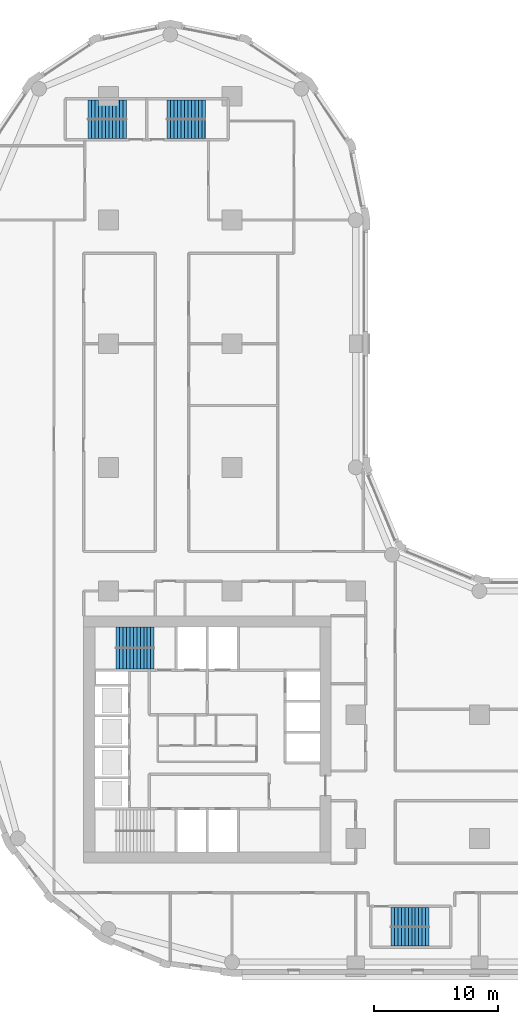
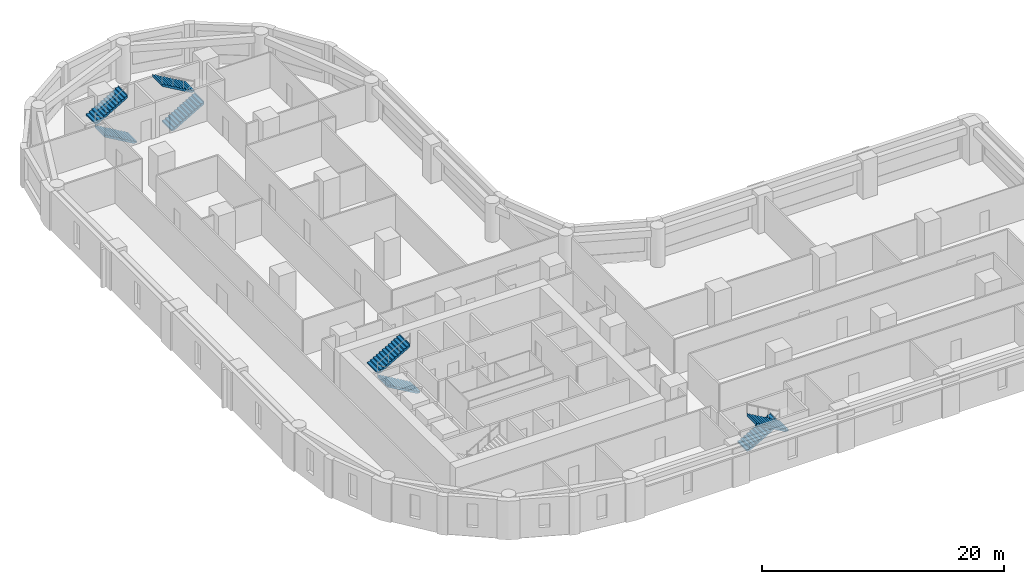
# One storey, part 8 of 10: 8 stair flights, 4 elements without a shape of their own.
"""IFC4 building model written with IfcOpenShell, lengths in metres."""

from ifc_helpers import new_model, si_unit, direction, frame, origin, place, context, subcontext, project, spatial, polyline, outline, extrude, material, type_object, element, aggregate, save


model = new_model("IFC4")

# Units and contexts
model_context = context("Model", 3, precision=1e-05, world=origin(), true_north=direction((0.0, 1.0)))
body_context = subcontext(model_context, "Body", "Model", "MODEL_VIEW")
ifc_project = project(units=[si_unit("LENGTHUNIT", "METRE"), si_unit("AREAUNIT", "SQUARE_METRE"), si_unit("VOLUMEUNIT", "CUBIC_METRE"), si_unit("PLANEANGLEUNIT", "RADIAN"), si_unit("MASSUNIT", "GRAM", prefix="KILO")], contexts=[model_context])

# Site, building, storey
site_placement = place(None, origin())
site = spatial("IfcSite", under=ifc_project, at=site_placement, CompositionType="ELEMENT")
building_placement = place(site_placement, origin())
building = spatial("IfcBuilding", under=site, at=building_placement, Name="Qaws Garden Tower", CompositionType="ELEMENT")
storey_placement = place(building_placement, frame((0.0, 0.0, 109.5)))
storey = spatial("IfcBuildingStorey", under=building, at=storey_placement, Name="L27", CompositionType="ELEMENT", Elevation=109.5)

# Stair, stair flights
ifc_material_1 = material(Name="Concrete C40", Category="concrete")
stair_type_1 = type_object("IfcStairType", Name="Exit stair 1350", PredefinedType="HALF_TURN_STAIR", material=ifc_material_1)
placement = place(storey_placement, origin())
stair_1 = element("IfcStair", 1, at=placement, inside=storey, type_object=stair_type_1, Name="Stair 5", PredefinedType="HALF_TURN_STAIR")
ifc_material_2 = material(Name="Concrete C40", Category="concrete")
stair_flight_type_1 = type_object("IfcStairFlightType", Name="Stair flight 1350", PredefinedType="STRAIGHT", material=ifc_material_2)
stair_flight_1_placement = place(storey_placement, frame((32.85009765625, 3.625, 0.0), z_axis=(0.0, 0.0, 1.0), x_axis=(1.0, 0.0, 0.0)))
stair_flight_1 = element("IfcStairFlight", 2, at=stair_flight_1_placement, type_object=stair_flight_type_1, Name="ST5 flight 1", NumberOfRisers=12, NumberOfTreads=11, PredefinedType="STRAIGHT", RiserHeight=0.1625, TreadLength=0.28, context=body_context, shape_type="SweptSolid", body=[
    extrude(outline(polyline([(-0.0029296875, 0.0), (-0.0029296875, 0.16259765625), (0.0, 0.16259765625), (0.280029296875, 0.16259765625), (0.280029296875, 0.324951171875), (0.56005859375, 0.324951171875), (0.56005859375, 0.487548828125), (0.840087890625, 0.487548828125), (0.840087890625, 0.64990234375), (1.1201171875, 0.64990234375), (1.1201171875, 0.8125), (1.39990234375, 0.8125), (1.39990234375, 0.97509765625), (1.679931640625, 0.97509765625), (1.679931640625, 1.137451171875), (1.9599609375, 1.137451171875), (1.9599609375, 1.300048828125), (2.239990234375, 1.300048828125), (2.239990234375, 1.46240234375), (2.52001953125, 1.46240234375), (2.52001953125, 1.625), (2.800048828125, 1.625), (2.800048828125, 1.78759765625), (3.080078125, 1.78759765625), (3.080078125, 1.949951171875), (3.0830078125, 1.949951171875), (3.0830078125, 1.6142578125), (3.080078125, 1.6142578125), (0.298583984375, 0.0), (-0.0029296875, 0.0)])), frame((0.0, 0.77490234375, 0.0), z_axis=(0.0, -1.0, 0.0), x_axis=(1.0, 0.0, 0.0)), (0.0, 0.0, 1.0), 1.550048828125),
])
stair_flight_2_placement = place(storey_placement, frame((35.929931640625, 2.074951171875, 1.949951171875), z_axis=(0.0, 0.0, 1.0), x_axis=(-1.0, 0.0, 0.0)))
stair_flight_2 = element("IfcStairFlight", 3, at=stair_flight_2_placement, type_object=stair_flight_type_1, Name="ST5 flight 2", NumberOfRisers=12, NumberOfTreads=11, PredefinedType="STRAIGHT", RiserHeight=0.1625, TreadLength=0.28, context=body_context, shape_type="SweptSolid", body=[
    extrude(outline(polyline([(-0.0029296875, 0.0), (-0.0029296875, 0.16259765625), (0.0, 0.16259765625), (0.280029296875, 0.16259765625), (0.280029296875, 0.324951171875), (0.56005859375, 0.324951171875), (0.56005859375, 0.487548828125), (0.840087890625, 0.487548828125), (0.840087890625, 0.64990234375), (1.1201171875, 0.64990234375), (1.1201171875, 0.8125), (1.39990234375, 0.8125), (1.39990234375, 0.97509765625), (1.679931640625, 0.97509765625), (1.679931640625, 1.137451171875), (1.9599609375, 1.137451171875), (1.9599609375, 1.300048828125), (2.239990234375, 1.300048828125), (2.239990234375, 1.46240234375), (2.52001953125, 1.46240234375), (2.52001953125, 1.625), (2.800048828125, 1.625), (2.800048828125, 1.78759765625), (3.080078125, 1.78759765625), (3.080078125, 1.949951171875), (3.0830078125, 1.949951171875), (3.0830078125, 1.6142578125), (3.080078125, 1.6142578125), (0.298583984375, 0.0), (-0.0029296875, 0.0)])), frame((0.0, 0.77490234375, 0.0), z_axis=(0.0, -1.0, 0.0), x_axis=(1.0, 0.0, 0.0)), (0.0, 0.0, 1.0), 1.550048828125),
])
aggregate(stair_1, [stair_flight_1, stair_flight_2])

stair_2 = element("IfcStair", 4, at=placement, inside=storey, type_object=stair_type_1, Name="Stair 6", PredefinedType="HALF_TURN_STAIR")
stair_flight_3_placement = place(storey_placement, frame((11.449951171875, 67.375, 0.0), z_axis=(0.0, 0.0, 1.0), x_axis=(-1.0, 0.0, 0.0)))
stair_flight_3 = element("IfcStairFlight", 5, at=stair_flight_3_placement, type_object=stair_flight_type_1, Name="ST6 flight 1", NumberOfRisers=12, NumberOfTreads=11, PredefinedType="STRAIGHT", RiserHeight=0.1625, TreadLength=0.28, context=body_context, shape_type="SweptSolid", body=[
    extrude(outline(polyline([(-0.0029296875, 0.0), (-0.0029296875, 0.16259765625), (0.0, 0.16259765625), (0.280029296875, 0.16259765625), (0.280029296875, 0.324951171875), (0.56005859375, 0.324951171875), (0.56005859375, 0.487548828125), (0.840087890625, 0.487548828125), (0.840087890625, 0.64990234375), (1.1201171875, 0.64990234375), (1.1201171875, 0.8125), (1.39990234375, 0.8125), (1.39990234375, 0.97509765625), (1.679931640625, 0.97509765625), (1.679931640625, 1.137451171875), (1.9599609375, 1.137451171875), (1.9599609375, 1.300048828125), (2.239990234375, 1.300048828125), (2.239990234375, 1.46240234375), (2.52001953125, 1.46240234375), (2.52001953125, 1.625), (2.800048828125, 1.625), (2.800048828125, 1.78759765625), (3.080078125, 1.78759765625), (3.080078125, 1.949951171875), (3.0830078125, 1.949951171875), (3.0830078125, 1.6142578125), (3.080078125, 1.6142578125), (0.298583984375, 0.0), (-0.0029296875, 0.0)])), frame((0.0, 0.77490234375, 0.0), z_axis=(0.0, -1.0, 0.0), x_axis=(1.0, 0.0, 0.0)), (0.0, 0.0, 1.0), 1.550048828125),
])
stair_flight_4_placement = place(storey_placement, frame((8.3701171875, 68.925048828125, 1.949951171875), z_axis=(0.0, 0.0, 1.0), x_axis=(1.0, 0.0, 0.0)))
stair_flight_4 = element("IfcStairFlight", 6, at=stair_flight_4_placement, type_object=stair_flight_type_1, Name="ST6 flight 2", NumberOfRisers=12, NumberOfTreads=11, PredefinedType="STRAIGHT", RiserHeight=0.1625, TreadLength=0.28, context=body_context, shape_type="SweptSolid", body=[
    extrude(outline(polyline([(-0.0029296875, 0.0), (-0.0029296875, 0.16259765625), (0.0, 0.16259765625), (0.280029296875, 0.16259765625), (0.280029296875, 0.324951171875), (0.56005859375, 0.324951171875), (0.56005859375, 0.487548828125), (0.840087890625, 0.487548828125), (0.840087890625, 0.64990234375), (1.1201171875, 0.64990234375), (1.1201171875, 0.8125), (1.39990234375, 0.8125), (1.39990234375, 0.97509765625), (1.679931640625, 0.97509765625), (1.679931640625, 1.137451171875), (1.9599609375, 1.137451171875), (1.9599609375, 1.300048828125), (2.239990234375, 1.300048828125), (2.239990234375, 1.46240234375), (2.52001953125, 1.46240234375), (2.52001953125, 1.625), (2.800048828125, 1.625), (2.800048828125, 1.78759765625), (3.080078125, 1.78759765625), (3.080078125, 1.949951171875), (3.0830078125, 1.949951171875), (3.0830078125, 1.6142578125), (3.080078125, 1.6142578125), (0.298583984375, 0.0), (-0.0029296875, 0.0)])), frame((0.0, 0.77490234375, 0.0), z_axis=(0.0, -1.0, 0.0), x_axis=(1.0, 0.0, 0.0)), (0.0, 0.0, 1.0), 1.550048828125),
])
aggregate(stair_2, [stair_flight_3, stair_flight_4])

stair_3 = element("IfcStair", 7, at=placement, inside=storey, type_object=stair_type_1, Name="Stair 7", PredefinedType="HALF_TURN_STAIR")
stair_flight_5_placement = place(storey_placement, frame((14.75, 67.375, 0.0), z_axis=(0.0, 0.0, 1.0), x_axis=(1.0, 0.0, 0.0)))
stair_flight_5 = element("IfcStairFlight", 8, at=stair_flight_5_placement, type_object=stair_flight_type_1, Name="ST7 flight 1", NumberOfRisers=12, NumberOfTreads=11, PredefinedType="STRAIGHT", RiserHeight=0.1625, TreadLength=0.28, context=body_context, shape_type="SweptSolid", body=[
    extrude(outline(polyline([(-0.0029296875, 0.0), (-0.0029296875, 0.16259765625), (0.0, 0.16259765625), (0.280029296875, 0.16259765625), (0.280029296875, 0.324951171875), (0.56005859375, 0.324951171875), (0.56005859375, 0.487548828125), (0.840087890625, 0.487548828125), (0.840087890625, 0.64990234375), (1.1201171875, 0.64990234375), (1.1201171875, 0.8125), (1.39990234375, 0.8125), (1.39990234375, 0.97509765625), (1.679931640625, 0.97509765625), (1.679931640625, 1.137451171875), (1.9599609375, 1.137451171875), (1.9599609375, 1.300048828125), (2.239990234375, 1.300048828125), (2.239990234375, 1.46240234375), (2.52001953125, 1.46240234375), (2.52001953125, 1.625), (2.800048828125, 1.625), (2.800048828125, 1.78759765625), (3.080078125, 1.78759765625), (3.080078125, 1.949951171875), (3.0830078125, 1.949951171875), (3.0830078125, 1.6142578125), (3.080078125, 1.6142578125), (0.298583984375, 0.0), (-0.0029296875, 0.0)])), frame((0.0, 0.77490234375, 0.0), z_axis=(0.0, -1.0, 0.0), x_axis=(1.0, 0.0, 0.0)), (0.0, 0.0, 1.0), 1.550048828125),
])
stair_flight_6_placement = place(storey_placement, frame((17.830078125, 68.925048828125, 1.949951171875), z_axis=(0.0, 0.0, 1.0), x_axis=(-1.0, 0.0, 0.0)))
stair_flight_6 = element("IfcStairFlight", 9, at=stair_flight_6_placement, type_object=stair_flight_type_1, Name="ST7 flight 2", NumberOfRisers=12, NumberOfTreads=11, PredefinedType="STRAIGHT", RiserHeight=0.1625, TreadLength=0.28, context=body_context, shape_type="SweptSolid", body=[
    extrude(outline(polyline([(-0.0029296875, 0.0), (-0.0029296875, 0.16259765625), (0.0, 0.16259765625), (0.280029296875, 0.16259765625), (0.280029296875, 0.324951171875), (0.56005859375, 0.324951171875), (0.56005859375, 0.487548828125), (0.840087890625, 0.487548828125), (0.840087890625, 0.64990234375), (1.1201171875, 0.64990234375), (1.1201171875, 0.8125), (1.39990234375, 0.8125), (1.39990234375, 0.97509765625), (1.679931640625, 0.97509765625), (1.679931640625, 1.137451171875), (1.9599609375, 1.137451171875), (1.9599609375, 1.300048828125), (2.239990234375, 1.300048828125), (2.239990234375, 1.46240234375), (2.52001953125, 1.46240234375), (2.52001953125, 1.625), (2.800048828125, 1.625), (2.800048828125, 1.78759765625), (3.080078125, 1.78759765625), (3.080078125, 1.949951171875), (3.0830078125, 1.949951171875), (3.0830078125, 1.6142578125), (3.080078125, 1.6142578125), (0.298583984375, 0.0), (-0.0029296875, 0.0)])), frame((0.0, 0.77490234375, 0.0), z_axis=(0.0, -1.0, 0.0), x_axis=(1.0, 0.0, 0.0)), (0.0, 0.0, 1.0), 1.550048828125),
])
aggregate(stair_3, [stair_flight_5, stair_flight_6])

ifc_material_3 = material(Name="Concrete C40", Category="concrete")
stair_type_2 = type_object("IfcStairType", Name="Exit stair 1500", PredefinedType="HALF_TURN_STAIR", material=ifc_material_3)
stair_4 = element("IfcStair", 10, at=placement, inside=storey, type_object=stair_type_2, Name="Stair 4", PredefinedType="HALF_TURN_STAIR")
ifc_material_4 = material(Name="Concrete C40", Category="concrete")
stair_flight_type_2 = type_object("IfcStairFlightType", Name="Stair flight 1500", PredefinedType="STRAIGHT", material=ifc_material_4)
stair_flight_7_placement = place(storey_placement, frame((13.699951171875, 24.550048828125, 0.0), z_axis=(0.0, 0.0, 1.0), x_axis=(-1.0, 0.0, 0.0)))
stair_flight_7 = element("IfcStairFlight", 11, at=stair_flight_7_placement, type_object=stair_flight_type_2, Name="ST4 flight 1", NumberOfRisers=12, NumberOfTreads=11, PredefinedType="STRAIGHT", RiserHeight=0.1625, TreadLength=0.28, context=body_context, shape_type="SweptSolid", body=[
    extrude(outline(polyline([(-0.0029296875, 0.0), (-0.0029296875, 0.16259765625), (0.0, 0.16259765625), (0.280029296875, 0.16259765625), (0.280029296875, 0.324951171875), (0.56005859375, 0.324951171875), (0.56005859375, 0.487548828125), (0.840087890625, 0.487548828125), (0.840087890625, 0.64990234375), (1.1201171875, 0.64990234375), (1.1201171875, 0.8125), (1.39990234375, 0.8125), (1.39990234375, 0.97509765625), (1.679931640625, 0.97509765625), (1.679931640625, 1.137451171875), (1.9599609375, 1.137451171875), (1.9599609375, 1.300048828125), (2.239990234375, 1.300048828125), (2.239990234375, 1.46240234375), (2.52001953125, 1.46240234375), (2.52001953125, 1.625), (2.800048828125, 1.625), (2.800048828125, 1.78759765625), (3.080078125, 1.78759765625), (3.080078125, 1.949951171875), (3.0830078125, 1.949951171875), (3.0830078125, 1.6142578125), (3.080078125, 1.6142578125), (0.298583984375, 0.0), (-0.0029296875, 0.0)])), frame((0.0, 0.844970703125, 0.0), z_axis=(0.0, -1.0, 0.0), x_axis=(1.0, 0.0, 0.0)), (0.0, 0.0, 1.0), 1.68994140625),
])
stair_flight_8_placement = place(storey_placement, frame((10.6201171875, 26.25, 1.949951171875), z_axis=(0.0, 0.0, 1.0), x_axis=(1.0, 0.0, 0.0)))
stair_flight_8 = element("IfcStairFlight", 12, at=stair_flight_8_placement, type_object=stair_flight_type_2, Name="ST4 flight 2", NumberOfRisers=12, NumberOfTreads=11, PredefinedType="STRAIGHT", RiserHeight=0.1625, TreadLength=0.28, context=body_context, shape_type="SweptSolid", body=[
    extrude(outline(polyline([(-0.0029296875, 0.0), (-0.0029296875, 0.16259765625), (0.0, 0.16259765625), (0.280029296875, 0.16259765625), (0.280029296875, 0.324951171875), (0.56005859375, 0.324951171875), (0.56005859375, 0.487548828125), (0.840087890625, 0.487548828125), (0.840087890625, 0.64990234375), (1.1201171875, 0.64990234375), (1.1201171875, 0.8125), (1.39990234375, 0.8125), (1.39990234375, 0.97509765625), (1.679931640625, 0.97509765625), (1.679931640625, 1.137451171875), (1.9599609375, 1.137451171875), (1.9599609375, 1.300048828125), (2.239990234375, 1.300048828125), (2.239990234375, 1.46240234375), (2.52001953125, 1.46240234375), (2.52001953125, 1.625), (2.800048828125, 1.625), (2.800048828125, 1.78759765625), (3.080078125, 1.78759765625), (3.080078125, 1.949951171875), (3.0830078125, 1.949951171875), (3.0830078125, 1.6142578125), (3.080078125, 1.6142578125), (0.298583984375, 0.0), (-0.0029296875, 0.0)])), frame((0.0, 0.844970703125, 0.0), z_axis=(0.0, -1.0, 0.0), x_axis=(1.0, 0.0, 0.0)), (0.0, 0.0, 1.0), 1.68994140625),
])
aggregate(stair_4, [stair_flight_7, stair_flight_8])

save(model, "model.ifc")
